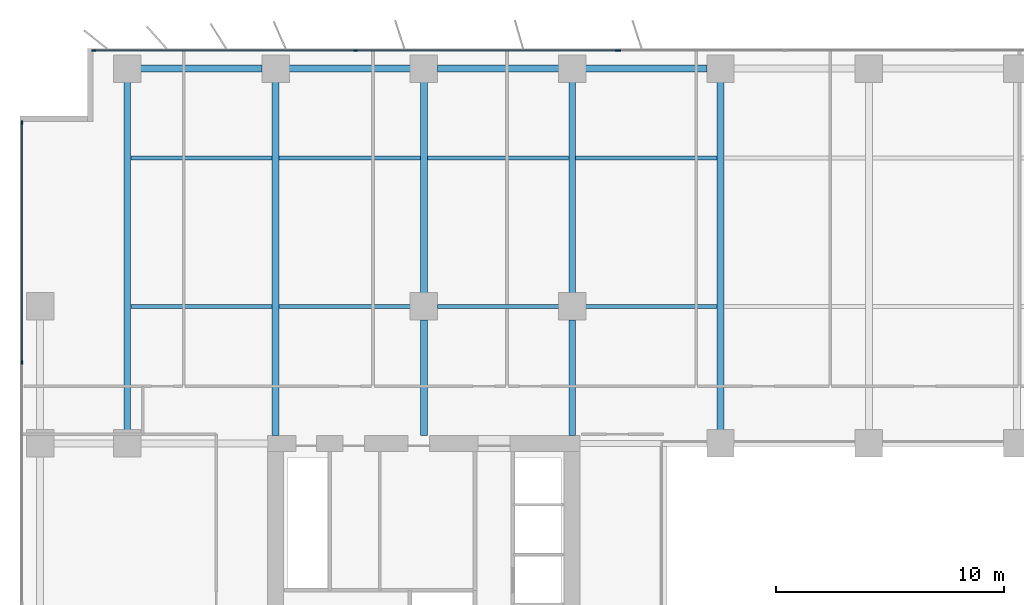
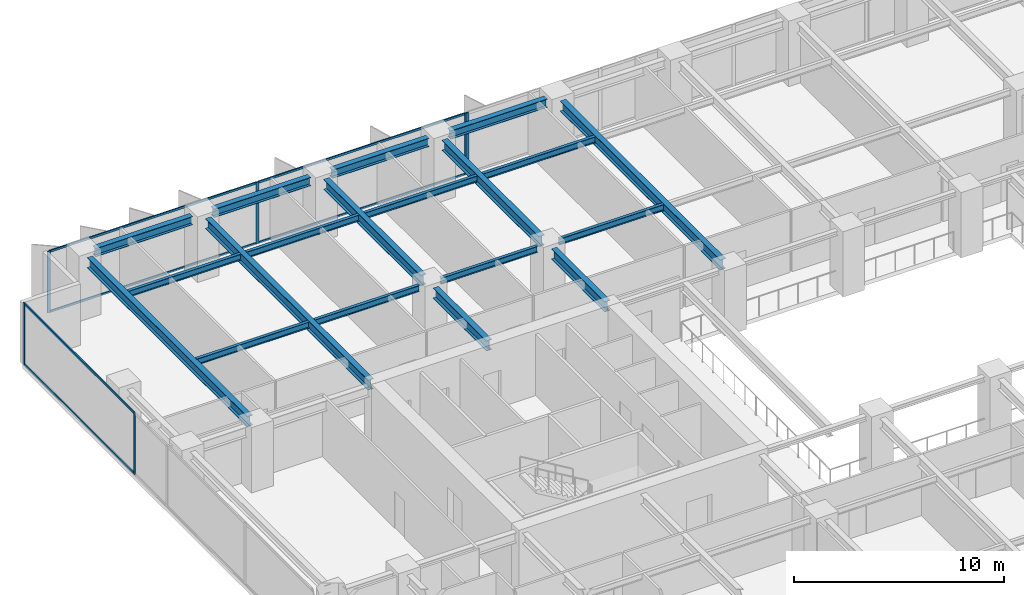
# One storey, part 7 of 20: 19 beams, 12 members, 3 elements without a shape of their own.
"""IFC4 building model written with IfcOpenShell, lengths in metres."""

import ifcopenshell
import ifcopenshell.guid

model = None  # the IFC model being written
_history = None  # IfcOwnerHistory: only IFC2X3 demands one
_inside = {}  # id of a spatial element -> (the spatial element, [elements in it])
_under = {}  # id of a project, library or spatial element -> (it, [spatial elements below it])
_declared = {}  # id of a project -> (the project, [libraries it declares])
_typed = {}  # id of a type object -> (the type object, [elements of that type])
_made_of = {}  # id of a material, layer set ... -> (it, [elements and type objects made of it])


def new_model(schema):
    """Start an empty IFC model of exactly this schema.

    Asked for "IFC4X3", IfcOpenShell would pick the latest addendum, in which some entities
    have other attributes; the version numbers below select the first issue.
    IFC2X3 requires an IfcOwnerHistory on every rooted entity: one is made here for all.
    """
    global model, _history
    if schema == "IFC4X3":
        model = ifcopenshell.file(schema_version=(4, 3, 0, 0))
    else:
        model = ifcopenshell.file(schema=schema)
    _inside.clear()
    _under.clear()
    _declared.clear()
    _typed.clear()
    _made_of.clear()
    _history = None
    if model.schema == "IFC2X3":
        org = make("IfcOrganization", Name="unknown")
        user = make(
            "IfcPersonAndOrganization",
            ThePerson=make("IfcPerson", FamilyName="unknown"),
            TheOrganization=org,
        )
        app = make(
            "IfcApplication",
            ApplicationDeveloper=org,
            Version="unknown",
            ApplicationFullName="unknown",
            ApplicationIdentifier="unknown",
        )
        _history = make(
            "IfcOwnerHistory",
            OwningUser=user,
            OwningApplication=app,
            ChangeAction="ADDED",
            CreationDate=0,
        )
    return model


def make(cls, **values):
    """One entity of the class cls with the attributes given. An attribute that is None is left unset."""
    return model.create_entity(
        cls, **{name: value for name, value in values.items() if value is not None}
    )


def rooted(cls, **values):
    """An entity with a GlobalId (a new one), such as an element, a storey or a relation."""
    return make(cls, GlobalId=ifcopenshell.guid.new(), OwnerHistory=_history, **values)


def si_unit(unit_type, name, prefix=None):
    """IfcSIUnit, for example si_unit("LENGTHUNIT", "METRE", prefix="MILLI")."""
    return make("IfcSIUnit", UnitType=unit_type, Prefix=prefix, Name=name)


def assignment(units):
    """IfcUnitAssignment: the units of a project."""
    return None if units is None else make("IfcUnitAssignment", Units=units)


def point(xyz):
    """IfcCartesianPoint."""
    return None if xyz is None else make("IfcCartesianPoint", Coordinates=xyz)


def direction(xyz):
    """IfcDirection."""
    return None if xyz is None else make("IfcDirection", DirectionRatios=xyz)


def frame(location, z_axis=None, x_axis=None):
    """IfcAxis2Placement3D, a coordinate frame: its origin and axes. An axis left out is left unset."""
    return make(
        "IfcAxis2Placement3D",
        Location=point(location),
        Axis=direction(z_axis),
        RefDirection=direction(x_axis),
    )


def frame_2d(location, x_axis=None):
    """IfcAxis2Placement2D, a coordinate frame in the plane: its origin and x axis."""
    return make(
        "IfcAxis2Placement2D", Location=point(location), RefDirection=direction(x_axis)
    )


def origin():
    """The frame at (0, 0, 0) with its axes left unset."""
    return frame((0.0, 0.0, 0.0))


def origin_2d():
    """The frame at (0, 0) in the plane with its x axis left unset."""
    return frame_2d((0.0, 0.0))


def place(relative_to, where):
    """IfcLocalPlacement: puts the frame where relative to a parent placement (None: the world)."""
    return make(
        "IfcLocalPlacement", PlacementRelTo=relative_to, RelativePlacement=where
    )


def context(
    kind, dimensions, precision=None, world=None, true_north=None, identifier=None
):
    """IfcGeometricRepresentationContext, for example the 3D "Model" context."""
    return make(
        "IfcGeometricRepresentationContext",
        ContextIdentifier=identifier,
        ContextType=kind,
        CoordinateSpaceDimension=dimensions,
        Precision=precision,
        WorldCoordinateSystem=world,
        TrueNorth=true_north,
    )


def subcontext(parent, identifier, kind, view, scale=None):
    """IfcGeometricRepresentationSubContext, for example "Body" below "Model"."""
    return make(
        "IfcGeometricRepresentationSubContext",
        ContextIdentifier=identifier,
        ContextType=kind,
        ParentContext=parent,
        TargetScale=scale,
        TargetView=view,
    )


def project(units=None, contexts=None):
    """IfcProject with its units and contexts."""
    return rooted(
        "IfcProject",
        Name="project",
        RepresentationContexts=contexts,
        UnitsInContext=assignment(units),
    )


def spatial(cls, under=None, at=None, **own):
    """A site, building, storey or space (cls), placed at a placement, below another one or the project."""
    s = rooted(cls, ObjectPlacement=at, **own)
    if under is not None:
        _under.setdefault(under.id(), (under, []))[1].append(s)
    return s


def profile(cls, at=None, kind="AREA", **sizes):
    """A parametric profile (cls). Its sizes go by their IFC names, for example OverallWidth=200.0."""
    return make(cls, ProfileType=kind, Position=at, **sizes)


def rectangle(**sizes):
    """IfcRectangleProfileDef."""
    return profile("IfcRectangleProfileDef", **sizes)


def i_section(**sizes):
    """IfcIShapeProfileDef."""
    return profile("IfcIShapeProfileDef", **sizes)


def extrude(swept, where, along, depth):
    """IfcExtrudedAreaSolid: the profile swept, set in the frame where, extruded along a direction by depth."""
    return make(
        "IfcExtrudedAreaSolid",
        SweptArea=swept,
        Position=where,
        ExtrudedDirection=direction(along),
        Depth=depth,
    )


def shape(context_of_items, identifier, shape_type, items):
    """IfcShapeRepresentation: the items that make up one representation, for example the "Body"."""
    return make(
        "IfcShapeRepresentation",
        ContextOfItems=context_of_items,
        RepresentationIdentifier=identifier,
        RepresentationType=shape_type,
        Items=items,
    )


def material(Name=None, Category=None):
    """IfcMaterial."""
    return make("IfcMaterial", Name=Name, Category=Category)


def layer(
    of_material, thickness, ventilated=None, Name=None, Category=None, Priority=None
):
    """IfcMaterialLayer: one layer of a wall or slab, of a material (None: an air gap)."""
    return make(
        "IfcMaterialLayer",
        Material=of_material,
        LayerThickness=thickness,
        IsVentilated=ventilated,
        Name=Name,
        Category=Category,
        Priority=Priority,
    )


def layer_set(layers, Name=None):
    """IfcMaterialLayerSet."""
    return make("IfcMaterialLayerSet", MaterialLayers=layers, LayerSetName=Name)


def material_profile(
    of_material, cross_section, Name=None, Category=None, Priority=None
):
    """IfcMaterialProfile: a cross section and its material."""
    return make(
        "IfcMaterialProfile",
        Name=Name,
        Material=of_material,
        Profile=cross_section,
        Priority=Priority,
        Category=Category,
    )


def profile_set(profiles, Name=None, composite=None):
    """IfcMaterialProfileSet."""
    return make(
        "IfcMaterialProfileSet",
        Name=Name,
        MaterialProfiles=profiles,
        CompositeProfile=composite,
    )


def made_of(thing, what):
    """Note that an element or type object is made of a material, layer set ...; save() writes the relation."""
    if what is not None:
        _made_of.setdefault(what.id(), (what, []))[1].append(thing)
    return thing


def type_object(cls, material=None, **own):
    """A type object (cls), such as IfcWallType, which elements share."""
    return made_of(rooted(cls, **own), material)


def element(
    cls,
    number,
    at=None,
    inside=None,
    cuts=None,
    type_object=None,
    material=None,
    context=None,
    identifier="Body",
    shape_type=None,
    held_by="IfcProductDefinitionShape",
    body=None,
    shapes=None,
    **own,
):
    """One element of the class cls, such as IfcWall. Its Tag is "e" and its number.

    at: its placement. inside: the storey or other place that contains it. cuts: it is an
    opening in that element (IfcRelVoidsElement). A single representation is given by context,
    identifier, shape_type and body (its items); several are given by shapes. held_by: the class
    of the entity that holds the representations. save() writes the other relations.
    """
    e = rooted(cls, Tag="e%d" % number, ObjectPlacement=at, **own)
    if body is not None:
        shapes = [shape(context, identifier, shape_type, body)]
    if shapes is not None:
        e.Representation = make(held_by, Representations=shapes)
    if inside is not None:
        _inside.setdefault(inside.id(), (inside, []))[1].append(e)
    if cuts is not None:
        rooted(
            "IfcRelVoidsElement", RelatingBuildingElement=cuts, RelatedOpeningElement=e
        )
    if type_object is not None:
        _typed.setdefault(type_object.id(), (type_object, []))[1].append(e)
    return made_of(e, material)


def aggregate(whole, parts):
    """IfcRelAggregates: a whole, such as a stair, and the parts it consists of."""
    return rooted("IfcRelAggregates", RelatingObject=whole, RelatedObjects=parts)


def save(model, path):
    """Write the relations noted so far, then the file.

    IfcRelAggregates (storeys below a building ...), IfcRelContainedInSpatialStructure (elements
    in a storey), IfcRelDefinesByType, IfcRelAssociatesMaterial and IfcRelDeclares: one each for
    every whole, place, type object, material and project.
    """
    for whole, parts in _under.values():
        aggregate(whole, parts)
    for where, things in _inside.values():
        rooted(
            "IfcRelContainedInSpatialStructure",
            RelatedElements=things,
            RelatingStructure=where,
        )
    for kind, things in _typed.values():
        rooted("IfcRelDefinesByType", RelatedObjects=things, RelatingType=kind)
    for what, things in _made_of.values():
        rooted("IfcRelAssociatesMaterial", RelatedObjects=things, RelatingMaterial=what)
    for by, libraries in _declared.values():
        rooted("IfcRelDeclares", RelatingContext=by, RelatedDefinitions=libraries)
    model.write(path)


model = new_model("IFC4")

# Units and contexts
model_context = context("Model", 3, precision=1e-05, world=origin(), true_north=direction((0.0, 1.0)))
body_context = subcontext(model_context, "Body", "Model", "MODEL_VIEW")
ifc_project = project(units=[si_unit("LENGTHUNIT", "METRE"), si_unit("AREAUNIT", "SQUARE_METRE"), si_unit("VOLUMEUNIT", "CUBIC_METRE"), si_unit("PLANEANGLEUNIT", "RADIAN"), si_unit("MASSUNIT", "GRAM", prefix="KILO")], contexts=[model_context])

# Site, building, storey
site_placement = place(None, origin())
site = spatial("IfcSite", under=ifc_project, at=site_placement, CompositionType="ELEMENT")
building_placement = place(site_placement, origin())
building = spatial("IfcBuilding", under=site, at=building_placement, Name="Putna Gate Headquarters", CompositionType="ELEMENT")
storey_placement = place(building_placement, frame((0.0, 0.0, 127.800048828125)))
storey = spatial("IfcBuildingStorey", under=building, at=storey_placement, Name="L31", CompositionType="ELEMENT", Elevation=127.800048828125)

# Beams
ifc_material_1 = material(Name="Steel S355J2", Category="steel")
ifc_material_profile_1 = material_profile(ifc_material_1, i_section(OverallWidth=0.300048828125, OverallDepth=0.60009765625, WebThickness=0.015380859375, FlangeThickness=0.030029296875, at=origin_2d()), Name="Steel S355J2")
ifc_profile_set_1 = profile_set([ifc_material_profile_1], Name="Steel S355J2")
beam_type_1 = type_object("IfcBeamType", Name="BM-GIRD-Z2-HEB600", PredefinedType="USERDEFINED", material=ifc_profile_set_1)
beam_1_placement = place(storey_placement, frame((6.5, 33.587890625, 3.264892578125), z_axis=(0.0, 1.0, 0.0), x_axis=(-1.0, 0.0, 0.0)))
element("IfcBeam", 1, at=beam_1_placement, inside=storey, type_object=beam_type_1, Name="L31 North Primary Girder X6", ObjectType="GIRDER", PredefinedType="USERDEFINED", context=body_context, shape_type="SweptSolid", body=[
    extrude(i_section(OverallWidth=0.300048828125, OverallDepth=0.60009765625, WebThickness=0.015380859375, FlangeThickness=0.030029296875, at=origin_2d()), origin(), (0.0, 0.0, 1.0), 15.244140625),
])
beam_2_placement = place(storey_placement, frame((13.0, 33.3349609375, 3.264892578125), z_axis=(0.0, 1.0, 0.0), x_axis=(-1.0, 0.0, 0.0)))
element("IfcBeam", 2, at=beam_2_placement, inside=storey, type_object=beam_type_1, Name="L31 North Primary Girder X13", ObjectType="GIRDER", PredefinedType="USERDEFINED", context=body_context, shape_type="SweptSolid", body=[
    extrude(i_section(OverallWidth=0.300048828125, OverallDepth=0.60009765625, WebThickness=0.015380859375, FlangeThickness=0.030029296875, at=origin_2d()), origin(), (0.0, 0.0, 1.0), 15.4970703125),
])
beam_3_placement = place(storey_placement, frame((19.5, 33.3349609375, 3.264892578125), z_axis=(0.0, 1.0, 0.0), x_axis=(-1.0, 0.0, 0.0)))
element("IfcBeam", 3, at=beam_3_placement, inside=storey, type_object=beam_type_1, Name="L31 North Primary Girder X19-1", ObjectType="GIRDER", PredefinedType="USERDEFINED", context=body_context, shape_type="SweptSolid", body=[
    extrude(i_section(OverallWidth=0.300048828125, OverallDepth=0.60009765625, WebThickness=0.015380859375, FlangeThickness=0.030029296875, at=origin_2d()), origin(), (0.0, 0.0, 1.0), 5.0771484375),
])
beam_4_placement = place(storey_placement, frame((19.5, 39.587890625, 3.264892578125), z_axis=(0.0, 1.0, 0.0), x_axis=(-1.0, 0.0, 0.0)))
element("IfcBeam", 4, at=beam_4_placement, inside=storey, type_object=beam_type_1, Name="L31 North Primary Girder X19-2", ObjectType="GIRDER", PredefinedType="USERDEFINED", context=body_context, shape_type="SweptSolid", body=[
    extrude(i_section(OverallWidth=0.300048828125, OverallDepth=0.60009765625, WebThickness=0.015380859375, FlangeThickness=0.030029296875, at=origin_2d()), origin(), (0.0, 0.0, 1.0), 9.244140625),
])
beam_5_placement = place(storey_placement, frame((26.0, 33.3349609375, 3.264892578125), z_axis=(0.0, 1.0, 0.0), x_axis=(-1.0, 0.0, 0.0)))
element("IfcBeam", 5, at=beam_5_placement, inside=storey, type_object=beam_type_1, Name="L31 North Primary Girder X26-1", ObjectType="GIRDER", PredefinedType="USERDEFINED", context=body_context, shape_type="SweptSolid", body=[
    extrude(i_section(OverallWidth=0.300048828125, OverallDepth=0.60009765625, WebThickness=0.015380859375, FlangeThickness=0.030029296875, at=origin_2d()), origin(), (0.0, 0.0, 1.0), 5.0771484375),
])
beam_6_placement = place(storey_placement, frame((26.0, 39.587890625, 3.264892578125), z_axis=(0.0, 1.0, 0.0), x_axis=(-1.0, 0.0, 0.0)))
element("IfcBeam", 6, at=beam_6_placement, inside=storey, type_object=beam_type_1, Name="L31 North Primary Girder X26-2", ObjectType="GIRDER", PredefinedType="USERDEFINED", context=body_context, shape_type="SweptSolid", body=[
    extrude(i_section(OverallWidth=0.300048828125, OverallDepth=0.60009765625, WebThickness=0.015380859375, FlangeThickness=0.030029296875, at=origin_2d()), origin(), (0.0, 0.0, 1.0), 9.244140625),
])
beam_7_placement = place(storey_placement, frame((32.5, 33.587890625, 3.264892578125), z_axis=(0.0, 1.0, 0.0), x_axis=(-1.0, 0.0, 0.0)))
element("IfcBeam", 7, at=beam_7_placement, inside=storey, type_object=beam_type_1, Name="L31 North Primary Girder X32", ObjectType="GIRDER", PredefinedType="USERDEFINED", context=body_context, shape_type="SweptSolid", body=[
    extrude(i_section(OverallWidth=0.300048828125, OverallDepth=0.60009765625, WebThickness=0.015380859375, FlangeThickness=0.030029296875, at=origin_2d()), origin(), (0.0, 0.0, 1.0), 15.244140625),
])
ifc_material_profile_2 = material_profile(ifc_material_1, i_section(OverallWidth=0.169921875, OverallDepth=0.360107421875, WebThickness=0.008056640625, FlangeThickness=0.0126953125, at=origin_2d()), Name="Steel S355J2")
ifc_profile_set_2 = profile_set([ifc_material_profile_2], Name="Steel S355J2")
beam_type_2 = type_object("IfcBeamType", Name="BM-SEC-Z2-IPE360", PredefinedType="BEAM", material=ifc_profile_set_2)
for number, where, z_axis, x_axis, name in (
    (8, (6.654052734375, 39.0, 3.385009765625), (1.0, 0.0, 0.0), (0.0, 1.0, 0.0), "L31 North Secondary Beam 1"),
    (9, (6.654052734375, 45.5, 3.385009765625), (1.0, 0.0, 0.0), (0.0, 1.0, 0.0), "L31 North Secondary Beam 1"),
):
    element("IfcBeam", number, at=place(storey_placement, frame(where, z_axis=z_axis, x_axis=x_axis)), inside=storey, type_object=beam_type_2, Name=name, PredefinedType="BEAM", context=body_context, shape_type="SweptSolid", body=[
        extrude(i_section(OverallWidth=0.169921875, OverallDepth=0.360107421875, WebThickness=0.008056640625, FlangeThickness=0.0126953125, at=origin_2d()), origin(), (0.0, 0.0, 1.0), 6.19189453125),
    ])
beam_8_placement = place(storey_placement, frame((13.154052734375, 39.0, 3.385009765625), z_axis=(1.0, 0.0, 0.0), x_axis=(0.0, 1.0, 0.0)))
element("IfcBeam", 10, at=beam_8_placement, inside=storey, type_object=beam_type_2, Name="L31 North Secondary Beam 2", PredefinedType="BEAM", context=body_context, shape_type="SweptSolid", body=[
    extrude(i_section(OverallWidth=0.169921875, OverallDepth=0.360107421875, WebThickness=0.008056640625, FlangeThickness=0.0126953125, at=origin_2d()), origin(), (0.0, 0.0, 1.0), 5.758056640625),
])
beam_9_placement = place(storey_placement, frame((13.154052734375, 45.5, 3.385009765625), z_axis=(1.0, 0.0, 0.0), x_axis=(0.0, 1.0, 0.0)))
element("IfcBeam", 11, at=beam_9_placement, inside=storey, type_object=beam_type_2, Name="L31 North Secondary Beam 2", PredefinedType="BEAM", context=body_context, shape_type="SweptSolid", body=[
    extrude(i_section(OverallWidth=0.169921875, OverallDepth=0.360107421875, WebThickness=0.008056640625, FlangeThickness=0.0126953125, at=origin_2d()), origin(), (0.0, 0.0, 1.0), 6.19189453125),
])
beam_10_placement = place(storey_placement, frame((20.087890625, 39.0, 3.385009765625), z_axis=(1.0, 0.0, 0.0), x_axis=(0.0, 1.0, 0.0)))
element("IfcBeam", 12, at=beam_10_placement, inside=storey, type_object=beam_type_2, Name="L31 North Secondary Beam 3", PredefinedType="BEAM", context=body_context, shape_type="SweptSolid", body=[
    extrude(i_section(OverallWidth=0.169921875, OverallDepth=0.360107421875, WebThickness=0.008056640625, FlangeThickness=0.0126953125, at=origin_2d()), origin(), (0.0, 0.0, 1.0), 5.32421875),
])
beam_11_placement = place(storey_placement, frame((19.654052734375, 45.5, 3.385009765625), z_axis=(1.0, 0.0, 0.0), x_axis=(0.0, 1.0, 0.0)))
element("IfcBeam", 13, at=beam_11_placement, inside=storey, type_object=beam_type_2, Name="L31 North Secondary Beam 3", PredefinedType="BEAM", context=body_context, shape_type="SweptSolid", body=[
    extrude(i_section(OverallWidth=0.169921875, OverallDepth=0.360107421875, WebThickness=0.008056640625, FlangeThickness=0.0126953125, at=origin_2d()), origin(), (0.0, 0.0, 1.0), 6.19189453125),
])
beam_12_placement = place(storey_placement, frame((26.587890625, 39.0, 3.385009765625), z_axis=(1.0, 0.0, 0.0), x_axis=(0.0, 1.0, 0.0)))
element("IfcBeam", 14, at=beam_12_placement, inside=storey, type_object=beam_type_2, Name="L31 North Secondary Beam 4", PredefinedType="BEAM", context=body_context, shape_type="SweptSolid", body=[
    extrude(i_section(OverallWidth=0.169921875, OverallDepth=0.360107421875, WebThickness=0.008056640625, FlangeThickness=0.0126953125, at=origin_2d()), origin(), (0.0, 0.0, 1.0), 5.758056640625),
])
beam_13_placement = place(storey_placement, frame((26.154052734375, 45.5, 3.385009765625), z_axis=(1.0, 0.0, 0.0), x_axis=(0.0, 1.0, 0.0)))
element("IfcBeam", 15, at=beam_13_placement, inside=storey, type_object=beam_type_2, Name="L31 North Secondary Beam 4", PredefinedType="BEAM", context=body_context, shape_type="SweptSolid", body=[
    extrude(i_section(OverallWidth=0.169921875, OverallDepth=0.360107421875, WebThickness=0.008056640625, FlangeThickness=0.0126953125, at=origin_2d()), origin(), (0.0, 0.0, 1.0), 6.19189453125),
])
ifc_material_profile_3 = material_profile(ifc_material_1, i_section(OverallWidth=0.300048828125, OverallDepth=0.489990234375, WebThickness=0.011962890625, FlangeThickness=0.02294921875, at=origin_2d()), Name="Steel S355J2")
ifc_profile_set_3 = profile_set([ifc_material_profile_3], Name="Steel S355J2")
beam_type_3 = type_object("IfcBeamType", Name="BM-SPAN-Z2-HEA500", PredefinedType="SPANDREL", material=ifc_profile_set_3)
for number, where, z_axis, x_axis, name in (
    (16, (7.087890625, 49.419921875, 3.320068359375), (1.0, 0.0, 0.0), (0.0, 1.0, 0.0), "L31 N Perimeter Spandrel 1"),
    (17, (13.587890625, 49.419921875, 3.320068359375), (1.0, 0.0, 0.0), (0.0, 1.0, 0.0), "L31 N Perimeter Spandrel 2"),
    (18, (20.087890625, 49.419921875, 3.320068359375), (1.0, 0.0, 0.0), (0.0, 1.0, 0.0), "L31 N Perimeter Spandrel 3"),
    (19, (26.587890625, 49.419921875, 3.320068359375), (1.0, 0.0, 0.0), (0.0, 1.0, 0.0), "L31 N Perimeter Spandrel 4"),
):
    element("IfcBeam", number, at=place(storey_placement, frame(where, z_axis=z_axis, x_axis=x_axis)), inside=storey, type_object=beam_type_3, Name=name, PredefinedType="SPANDREL", context=body_context, shape_type="SweptSolid", body=[
        extrude(i_section(OverallWidth=0.300048828125, OverallDepth=0.489990234375, WebThickness=0.011962890625, FlangeThickness=0.02294921875, at=origin_2d()), origin(), (0.0, 0.0, 1.0), 5.32421875),
    ])

# Curtain wall, members
ifc_material_2 = material(Name="Anodised bronze aluminium curtain wall", Category="aluminium")
ifc_layer_1 = layer(ifc_material_2, 0.159912109375)
ifc_layer_set_1 = layer_set([ifc_layer_1], Name="Anodised bronze aluminium curtain wall")
curtain_wall_type_1 = type_object("IfcCurtainWallType", Name="CW-SYS-Z2", PredefinedType="USERDEFINED", material=ifc_layer_set_1)
curtain_wall_1_placement = place(storey_placement, origin())
curtain_wall_1 = element("IfcCurtainWall", 20, at=curtain_wall_1_placement, inside=storey, type_object=curtain_wall_type_1, Name="L31 North West Curtain Wall", ObjectType="STICK CURTAIN WALL", PredefinedType="USERDEFINED")
ifc_material_3 = material(Name="Anodised bronze aluminium EN AW-6060", Category="aluminium")
ifc_material_profile_4 = material_profile(ifc_material_3, rectangle(XDim=0.06494140625, YDim=0.159912109375, at=origin_2d()), Name="Anodised bronze aluminium EN AW-6060")
ifc_profile_set_4 = profile_set([ifc_material_profile_4], Name="Anodised bronze aluminium EN AW-6060")
member_type_1 = type_object("IfcMemberType", Name="MULL-CWM-2", PredefinedType="MULLION", material=ifc_profile_set_4)
member_1_placement = place(storey_placement, frame((5.032470703125, 50.219970703125, 0.0), z_axis=(0.0, 0.0, 1.0), x_axis=(0.0, 1.0, 0.0)))
member_1 = element("IfcMember", 21, at=member_1_placement, type_object=member_type_1, Name="CWS-2 mullion 1", PredefinedType="MULLION", context=body_context, shape_type="SweptSolid", body=[
    extrude(rectangle(XDim=0.06494140625, YDim=0.159912109375, at=origin_2d()), origin(), (0.0, 0.0, 1.0), 3.56494140625),
])
member_2_placement = place(storey_placement, frame((16.5, 50.219970703125, 0.0), z_axis=(0.0, 0.0, 1.0), x_axis=(0.0, 1.0, 0.0)))
member_2 = element("IfcMember", 22, at=member_2_placement, type_object=member_type_1, Name="CWS-2 mullion 2", PredefinedType="MULLION", context=body_context, shape_type="SweptSolid", body=[
    extrude(rectangle(XDim=0.06494140625, YDim=0.159912109375, at=origin_2d()), origin(), (0.0, 0.0, 1.0), 3.56494140625),
])
member_3_placement = place(storey_placement, frame((27.967529296875, 50.219970703125, 0.0), z_axis=(0.0, 0.0, 1.0), x_axis=(0.0, 1.0, 0.0)))
member_3 = element("IfcMember", 23, at=member_3_placement, type_object=member_type_1, Name="CWS-2 mullion 3", PredefinedType="MULLION", context=body_context, shape_type="SweptSolid", body=[
    extrude(rectangle(XDim=0.06494140625, YDim=0.159912109375, at=origin_2d()), origin(), (0.0, 0.0, 1.0), 3.56494140625),
])

curtain_wall_2_placement = place(storey_placement, origin())
curtain_wall_2 = element("IfcCurtainWall", 24, at=curtain_wall_2_placement, inside=storey, type_object=curtain_wall_type_1, Name="L31 West Curtain Wall", ObjectType="STICK CURTAIN WALL", PredefinedType="USERDEFINED")
member_4_placement = place(storey_placement, frame((1.8798828125, 36.550048828125, 0.0), z_axis=(0.0, 0.0, 1.0), x_axis=(-1.0, 0.0, 0.0)))
member_4 = element("IfcMember", 25, at=member_4_placement, type_object=member_type_1, Name="CWS-2 mullion 4", PredefinedType="MULLION", context=body_context, shape_type="SweptSolid", body=[
    extrude(rectangle(XDim=0.06494140625, YDim=0.159912109375, at=origin_2d()), origin(), (0.0, 0.0, 1.0), 3.56494140625),
])
member_5_placement = place(storey_placement, frame((1.8798828125, 47.0673828125, 0.0), z_axis=(0.0, 0.0, 1.0), x_axis=(-1.0, 0.0, 0.0)))
member_5 = element("IfcMember", 26, at=member_5_placement, type_object=member_type_1, Name="CWS-2 mullion 5", PredefinedType="MULLION", context=body_context, shape_type="SweptSolid", body=[
    extrude(rectangle(XDim=0.06494140625, YDim=0.159912109375, at=origin_2d()), origin(), (0.0, 0.0, 1.0), 3.56494140625),
])

# Curtain wall, member
ifc_layer_2 = layer(ifc_material_2, 0.179931640625)
ifc_layer_set_2 = layer_set([ifc_layer_2], Name="Anodised bronze aluminium curtain wall")
curtain_wall_type_2 = type_object("IfcCurtainWallType", Name="CW-SYS-ATR", PredefinedType="USERDEFINED", material=ifc_layer_set_2)
curtain_wall_3_placement = place(storey_placement, origin())
curtain_wall_3 = element("IfcCurtainWall", 27, at=curtain_wall_3_placement, inside=storey, type_object=curtain_wall_type_2, Name="L31 North Atrium Clear Glazing", ObjectType="ATRIUM GLAZING", PredefinedType="USERDEFINED")
ifc_material_profile_5 = material_profile(ifc_material_3, rectangle(XDim=0.070068359375, YDim=0.179931640625, at=origin_2d()), Name="Anodised bronze aluminium EN AW-6060")
ifc_profile_set_5 = profile_set([ifc_material_profile_5], Name="Anodised bronze aluminium EN AW-6060")
member_type_2 = type_object("IfcMemberType", Name="MULL-CWM-AT", PredefinedType="MULLION", material=ifc_profile_set_5)
member_6_placement = place(storey_placement, frame((28.034912109375, 50.219970703125, 0.0), z_axis=(0.0, 0.0, 1.0), x_axis=(0.0, 1.0, 0.0)))
member_6 = element("IfcMember", 28, at=member_6_placement, type_object=member_type_2, Name="CWS-AT mullion 1", PredefinedType="MULLION", context=body_context, shape_type="SweptSolid", body=[
    extrude(rectangle(XDim=0.070068359375, YDim=0.179931640625, at=origin_2d()), origin(), (0.0, 0.0, 1.0), 3.56494140625),
])
aggregate(curtain_wall_3, [member_6])

# Member
ifc_material_profile_6 = material_profile(ifc_material_3, rectangle(XDim=0.06494140625, YDim=0.1201171875, at=origin_2d()), Name="Anodised bronze aluminium EN AW-6060")
ifc_profile_set_6 = profile_set([ifc_material_profile_6], Name="Anodised bronze aluminium EN AW-6060")
member_type_3 = type_object("IfcMemberType", Name="TRAN-CWT-2", PredefinedType="USERDEFINED", material=ifc_profile_set_6)
member_7_placement = place(storey_placement, frame((5.06494140625, 50.219970703125, 0.032470703125), z_axis=(1.0, 0.0, 0.0), x_axis=(0.0, 1.0, 0.0)))
member_7 = element("IfcMember", 29, at=member_7_placement, type_object=member_type_3, Name="CWS-2 transom 1.1", ObjectType="TRANSOM", PredefinedType="USERDEFINED", context=body_context, shape_type="SweptSolid", body=[
    extrude(rectangle(XDim=0.06494140625, YDim=0.1201171875, at=origin_2d()), origin(), (0.0, 0.0, 1.0), 11.402587890625),
])

member_8_placement = place(storey_placement, frame((5.06494140625, 50.219970703125, 3.532470703125), z_axis=(1.0, 0.0, 0.0), x_axis=(0.0, 1.0, 0.0)))
member_8 = element("IfcMember", 30, at=member_8_placement, type_object=member_type_3, Name="CWS-2 transom 1.2", ObjectType="TRANSOM", PredefinedType="USERDEFINED", context=body_context, shape_type="SweptSolid", body=[
    extrude(rectangle(XDim=0.06494140625, YDim=0.1201171875, at=origin_2d()), origin(), (0.0, 0.0, 1.0), 11.402587890625),
])

member_9_placement = place(storey_placement, frame((16.532470703125, 50.219970703125, 0.032470703125), z_axis=(1.0, 0.0, 0.0), x_axis=(0.0, 1.0, 0.0)))
member_9 = element("IfcMember", 31, at=member_9_placement, type_object=member_type_3, Name="CWS-2 transom 2.1", ObjectType="TRANSOM", PredefinedType="USERDEFINED", context=body_context, shape_type="SweptSolid", body=[
    extrude(rectangle(XDim=0.06494140625, YDim=0.1201171875, at=origin_2d()), origin(), (0.0, 0.0, 1.0), 11.402587890625),
])

member_10_placement = place(storey_placement, frame((16.532470703125, 50.219970703125, 3.532470703125), z_axis=(1.0, 0.0, 0.0), x_axis=(0.0, 1.0, 0.0)))
member_10 = element("IfcMember", 32, at=member_10_placement, type_object=member_type_3, Name="CWS-2 transom 2.2", ObjectType="TRANSOM", PredefinedType="USERDEFINED", context=body_context, shape_type="SweptSolid", body=[
    extrude(rectangle(XDim=0.06494140625, YDim=0.1201171875, at=origin_2d()), origin(), (0.0, 0.0, 1.0), 11.402587890625),
])

aggregate(curtain_wall_1, [member_1, member_2, member_3, member_7, member_8, member_9, member_10])

member_11_placement = place(storey_placement, frame((1.8798828125, 36.58251953125, 0.032470703125), z_axis=(0.0, 1.0, 0.0), x_axis=(-1.0, 0.0, 0.0)))
member_11 = element("IfcMember", 33, at=member_11_placement, type_object=member_type_3, Name="CWS-2 transom 4.1", ObjectType="TRANSOM", PredefinedType="USERDEFINED", context=body_context, shape_type="SweptSolid", body=[
    extrude(rectangle(XDim=0.06494140625, YDim=0.1201171875, at=origin_2d()), origin(), (0.0, 0.0, 1.0), 10.452392578125),
])

member_12_placement = place(storey_placement, frame((1.8798828125, 36.58251953125, 3.532470703125), z_axis=(0.0, 1.0, 0.0), x_axis=(-1.0, 0.0, 0.0)))
member_12 = element("IfcMember", 34, at=member_12_placement, type_object=member_type_3, Name="CWS-2 transom 4.2", ObjectType="TRANSOM", PredefinedType="USERDEFINED", context=body_context, shape_type="SweptSolid", body=[
    extrude(rectangle(XDim=0.06494140625, YDim=0.1201171875, at=origin_2d()), origin(), (0.0, 0.0, 1.0), 10.452392578125),
])

aggregate(curtain_wall_2, [member_4, member_5, member_11, member_12])

save(model, "model.ifc")
